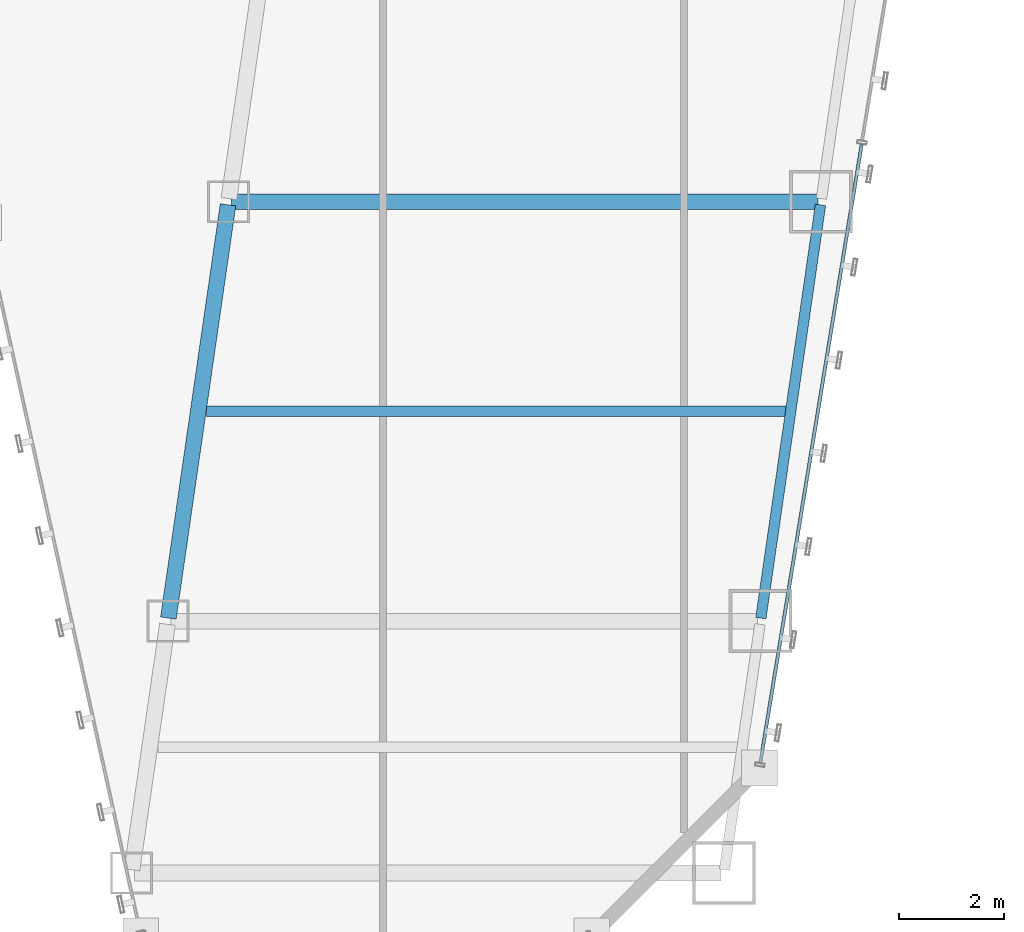
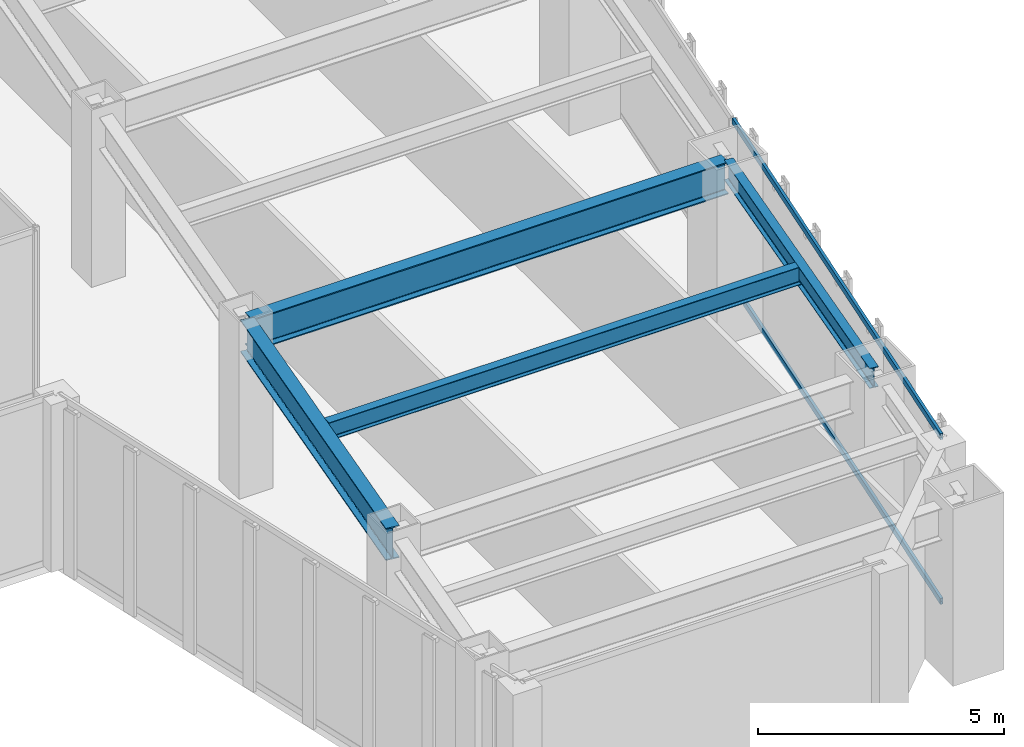
# One storey, part 16 of 47: 4 beams, 2 members, 1 element without a shape of its own.
"""IFC4 building model written with IfcOpenShell, lengths in metres."""

from ifc_helpers import new_model, si_unit, direction, frame, origin, origin_2d, place, context, subcontext, project, spatial, hollow_rectangle, i_section, extrude, material, material_profile, profile_set, type_object, element, aggregate, save


model = new_model("IFC4")

# Units and contexts
model_context = context("Model", 3, precision=1e-05, world=origin(), true_north=direction((0.0, 1.0)))
body_context = subcontext(model_context, "Body", "Model", "MODEL_VIEW")
ifc_project = project(units=[si_unit("LENGTHUNIT", "METRE"), si_unit("AREAUNIT", "SQUARE_METRE"), si_unit("VOLUMEUNIT", "CUBIC_METRE"), si_unit("PLANEANGLEUNIT", "RADIAN"), si_unit("MASSUNIT", "GRAM", prefix="KILO")], contexts=[model_context])

# Site, building, storey
site_placement = place(None, origin())
site = spatial("IfcSite", under=ifc_project, at=site_placement, CompositionType="ELEMENT")
building_placement = place(site_placement, origin())
building = spatial("IfcBuilding", under=site, at=building_placement, Name="Saevonmaru Cultural Tower", CompositionType="ELEMENT")
storey_placement = place(building_placement, frame((0.0, 0.0, 69.199951171875)))
storey = spatial("IfcBuildingStorey", under=building, at=storey_placement, Name="L14", CompositionType="ELEMENT", Elevation=69.199951171875)

# Beams
ifc_material_1 = material(Name="Steel SM420", Category="steel")
ifc_material_profile_1 = material_profile(ifc_material_1, i_section(OverallWidth=0.300048828125, OverallDepth=0.800048828125, WebThickness=0.013916015625, FlangeThickness=0.02587890625, FilletRadius=0.028076171875, at=origin_2d()), Name="H-800x300x14x26")
ifc_profile_set_1 = profile_set([ifc_material_profile_1], Name="Steel SM420")
beam_type_1 = type_object("IfcBeamType", Name="BM-G-H800", PredefinedType="BEAM", material=ifc_profile_set_1)
beam_1_placement = place(storey_placement, frame((36.925537109375, 8.059326171875, 3.75), z_axis=(0.142902032203, 0.989736838353, 0.0), x_axis=(-0.989736838353, 0.142902032203, 0.0)))
element("IfcBeam", 1, at=beam_1_placement, inside=storey, type_object=beam_type_1, Name="L14 East Atrium Girder 2", PredefinedType="BEAM", context=body_context, shape_type="SweptSolid", body=[
    extrude(i_section(OverallWidth=0.300048828125, OverallDepth=0.800048828125, WebThickness=0.013916015625, FlangeThickness=0.02587890625, FilletRadius=0.028076171875, at=origin_2d()), origin(), (0.0, 0.0, 1.0), 7.963134765625),
])
beam_2_placement = place(storey_placement, frame((38.132080078125, 16.0, 3.75), z_axis=(1.0, 0.0, 0.0), x_axis=(0.0, 1.0, 0.0)))
element("IfcBeam", 2, at=beam_2_placement, inside=storey, type_object=beam_type_1, Name="L14 East Wing Transverse Girder 3", PredefinedType="BEAM", context=body_context, shape_type="SweptSolid", body=[
    extrude(i_section(OverallWidth=0.300048828125, OverallDepth=0.800048828125, WebThickness=0.013916015625, FlangeThickness=0.02587890625, FilletRadius=0.028076171875, at=origin_2d()), origin(), (0.0, 0.0, 1.0), 11.179931640625),
])
ifc_material_2 = material(Name="Steel SM355", Category="steel")
ifc_material_profile_2 = material_profile(ifc_material_2, i_section(OverallWidth=0.199951171875, OverallDepth=0.449951171875, WebThickness=0.009033203125, FlangeThickness=0.013916015625, FilletRadius=0.01806640625, at=origin_2d()), Name="H-450x200x9x14")
ifc_profile_set_2 = profile_set([ifc_material_profile_2], Name="Steel SM355")
beam_type_2 = type_object("IfcBeamType", Name="BM-J-H450", PredefinedType="JOIST", material=ifc_profile_set_2)
beam_3_placement = place(storey_placement, frame((37.652587890625, 12.0, 3.925048828125), z_axis=(1.0, 0.0, 0.0), x_axis=(0.0, 1.0, 0.0)))
element("IfcBeam", 3, at=beam_3_placement, inside=storey, type_object=beam_type_2, Name="L14 East Wing Floor Joist 2", PredefinedType="JOIST", context=body_context, shape_type="SweptSolid", body=[
    extrude(i_section(OverallWidth=0.199951171875, OverallDepth=0.449951171875, WebThickness=0.009033203125, FlangeThickness=0.013916015625, FilletRadius=0.01806640625, at=origin_2d()), origin(), (0.0, 0.0, 1.0), 11.08203125),
])
ifc_material_profile_3 = material_profile(ifc_material_2, i_section(OverallWidth=0.199951171875, OverallDepth=0.5, WebThickness=0.010009765625, FlangeThickness=0.01611328125, FilletRadius=0.02001953125, at=origin_2d()), Name="H-500x200x10x16")
ifc_profile_set_3 = profile_set([ifc_material_profile_3], Name="Steel SM355")
beam_type_3 = type_object("IfcBeamType", Name="BM-SP-H500", PredefinedType="SPANDREL", material=ifc_profile_set_3)
beam_4_placement = place(storey_placement, frame((48.2255859375, 8.059326171875, 3.900146484375), z_axis=(0.142871999001, 0.989741174197, 0.0), x_axis=(-0.989741174197, 0.142871999001, 0.0)))
element("IfcBeam", 4, at=beam_4_placement, inside=storey, type_object=beam_type_3, Name="L14 East Splayed Spandrel 2", PredefinedType="SPANDREL", context=body_context, shape_type="SweptSolid", body=[
    extrude(i_section(OverallWidth=0.199951171875, OverallDepth=0.5, WebThickness=0.010009765625, FlangeThickness=0.01611328125, FilletRadius=0.02001953125, at=origin_2d()), origin(), (0.0, 0.0, 1.0), 7.963134765625),
])

# Curtain wall, members
ifc_material_3 = material(Name="Satin Bronze Anodised Aluminium", Category="aluminium")
curtain_wall_type = type_object("IfcCurtainWallType", Name="CW-TYP-A", PredefinedType="NOTDEFINED", material=ifc_material_3)
curtain_wall_placement = place(storey_placement, origin())
curtain_wall = element("IfcCurtainWall", 5, at=curtain_wall_placement, inside=storey, type_object=curtain_wall_type, Name="L14 Unitised Curtain Wall E8", PredefinedType="NOTDEFINED")
ifc_material_profile_4 = material_profile(ifc_material_3, hollow_rectangle(XDim=0.06494140625, YDim=0.14990234375, WallThickness=0.00390625, at=origin_2d()), Name="ALU-TRAN-150x65x4")
ifc_profile_set_4 = profile_set([ifc_material_profile_4], Name="Satin Bronze Anodised Aluminium")
member_type = type_object("IfcMemberType", Name="TR-CW-150x65", PredefinedType="USERDEFINED", material=ifc_profile_set_4)
member_1_placement = place(storey_placement, frame((48.21484375, 5.291259765625, 0.032470703125), z_axis=(0.161724530373, 0.986835941925, 0.0), x_axis=(-0.986835941925, 0.161724530373, 0.0)))
member_1 = element("IfcMember", 6, at=member_1_placement, type_object=member_type, Name="CW-TW-L14-E8 transom 1.1", ObjectType="TRANSOM", PredefinedType="USERDEFINED", context=body_context, shape_type="SweptSolid", body=[
    extrude(hollow_rectangle(XDim=0.06494140625, YDim=0.14990234375, WallThickness=0.00390625, at=origin_2d()), origin(), (0.0, 0.0, 1.0), 11.963623046875),
])
member_2_placement = place(storey_placement, frame((48.21484375, 5.291259765625, 4.117431640625), z_axis=(0.161724530373, 0.986835941925, 0.0), x_axis=(-0.986835941925, 0.161724530373, 0.0)))
member_2 = element("IfcMember", 7, at=member_2_placement, type_object=member_type, Name="CW-TW-L14-E8 transom 1.2", ObjectType="TRANSOM", PredefinedType="USERDEFINED", context=body_context, shape_type="SweptSolid", body=[
    extrude(hollow_rectangle(XDim=0.06494140625, YDim=0.14990234375, WallThickness=0.00390625, at=origin_2d()), origin(), (0.0, 0.0, 1.0), 11.963623046875),
])
aggregate(curtain_wall, [member_1, member_2])

save(model, "model.ifc")
